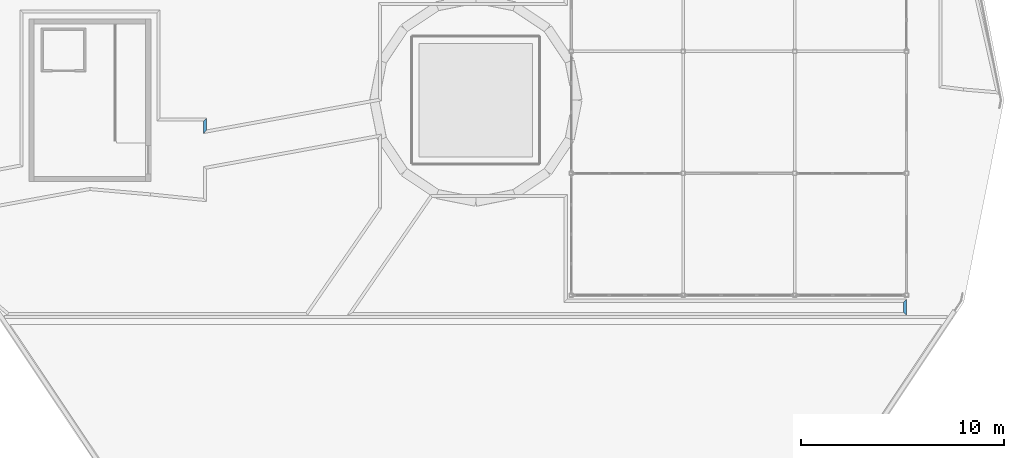
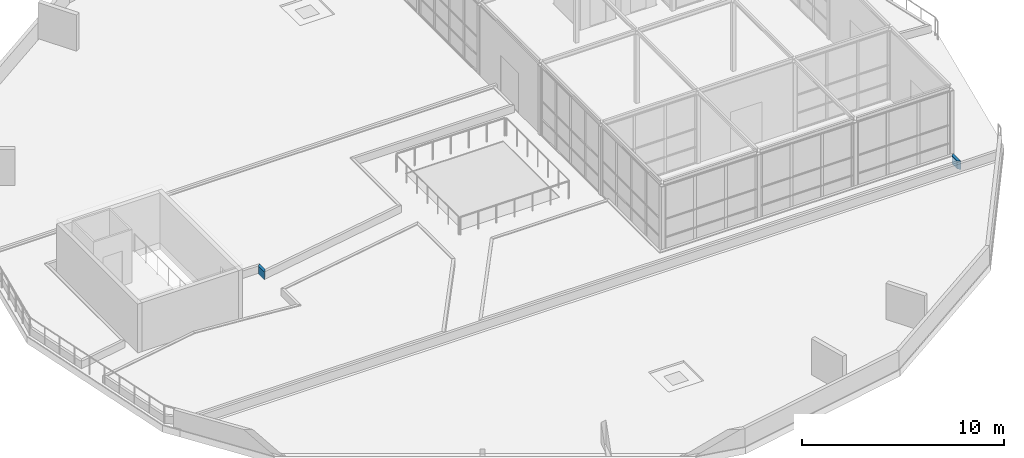
# One storey, part 32 of 40: 2 walls.
"""IFC4 building model written with IfcOpenShell, lengths in metres."""

from ifc_helpers import new_model, si_unit, direction, frame, origin, place, context, subcontext, project, spatial, polyline, outline, extrude, material, layer, layer_set, type_object, element, save


model = new_model("IFC4")

# Units and contexts
model_context = context("Model", 3, precision=1e-05, world=origin(), true_north=direction((0.0, 1.0)))
body_context = subcontext(model_context, "Body", "Model", "MODEL_VIEW")
ifc_project = project(units=[si_unit("LENGTHUNIT", "METRE"), si_unit("AREAUNIT", "SQUARE_METRE"), si_unit("VOLUMEUNIT", "CUBIC_METRE"), si_unit("PLANEANGLEUNIT", "RADIAN"), si_unit("MASSUNIT", "GRAM", prefix="KILO")], contexts=[model_context])

# Site, building, storey
site_placement = place(None, origin())
site = spatial("IfcSite", under=ifc_project, at=site_placement, CompositionType="ELEMENT")
building_placement = place(site_placement, origin())
building = spatial("IfcBuilding", under=site, at=building_placement, Name="Ceibo Conservatory and Research Tower", CompositionType="ELEMENT")
storey_placement = place(building_placement, frame((0.0, 0.0, 6.0)))
storey = spatial("IfcBuildingStorey", under=building, at=storey_placement, Name="L01", CompositionType="ELEMENT", Elevation=6.0)

# Walls
ifc_material = material(Name="Concrete C30/37", Category="concrete")
ifc_layer = layer(ifc_material, 0.14990234375)
ifc_layer_set = layer_set([ifc_layer], Name="Concrete C30/37")
wall_type = type_object("IfcWallType", Name="Roof garden bed kerb wall 150", PredefinedType="PARAPET", material=ifc_layer_set)
wall_1_placement = place(storey_placement, frame((154.675048828125, 35.0400390625, -0.050048828125), z_axis=(0.0, 0.0, 1.0), x_axis=(0.0, -1.0, 0.0)))
element("IfcWall", 1, at=wall_1_placement, inside=storey, type_object=wall_type, Name="Planting bed PB02 kerb 10", PredefinedType="PARAPET", context=body_context, shape_type="SweptSolid", body=[
    extrude(outline(polyline([(0.074951171875, -0.074951171875), (0.6845703125, -0.074951171875), (0.5048828125, 0.074951171875), (-0.074951171875, 0.074951171875), (0.074951171875, -0.074951171875)])), origin(), (0.0, 0.0, 1.0), 0.5),
])
wall_2_placement = place(storey_placement, frame((189.125, 25.47509765625, -0.050048828125), z_axis=(0.0, 0.0, 1.0), x_axis=(0.0, 1.0, 0.0)))
element("IfcWall", 2, at=wall_2_placement, inside=storey, type_object=wall_type, Name="Planting bed PB03 kerb 02", PredefinedType="PARAPET", context=body_context, shape_type="SweptSolid", body=[
    extrude(outline(polyline([(-0.074951171875, -0.074951171875), (0.724853515625, -0.074951171875), (0.574951171875, 0.074951171875), (0.074951171875, 0.074951171875), (-0.074951171875, -0.074951171875)])), origin(), (0.0, 0.0, 1.0), 0.5),
])

save(model, "model.ifc")
